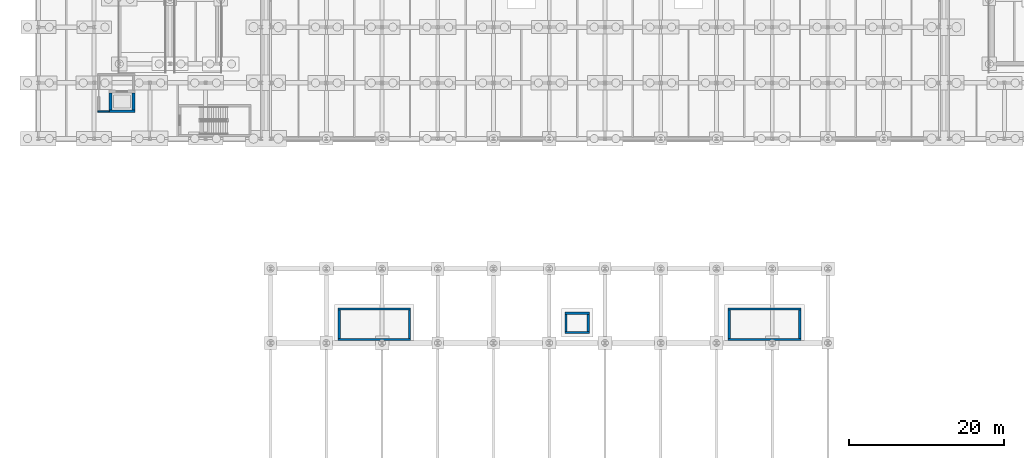
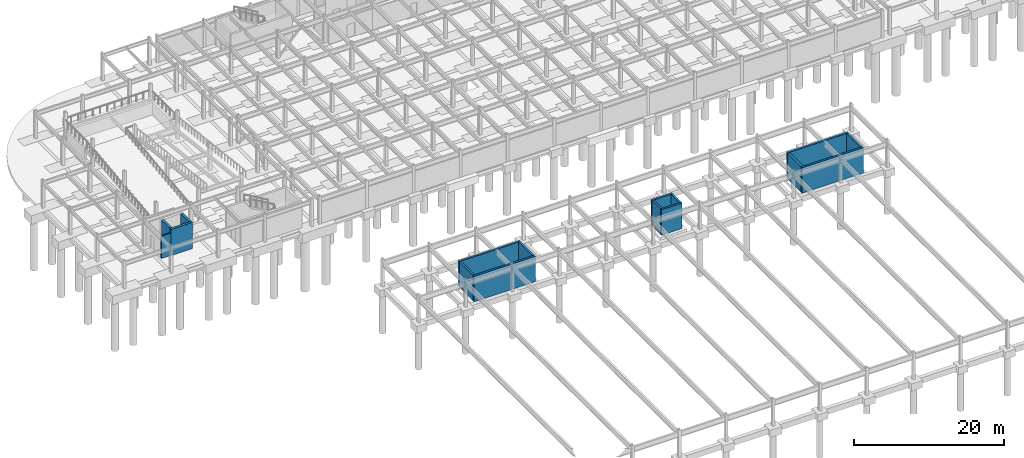
# One storey, part 42 of 54: 16 walls.
"""IFC4 building model written with IfcOpenShell, lengths in metres."""

from ifc_helpers import new_model, si_unit, direction, frame, frame_2d, origin, place, context, subcontext, project, spatial, rectangle, extrude, material, layer, layer_set, type_object, element, save


model = new_model("IFC4")

# Units and contexts
model_context = context("Model", 3, precision=1e-05, world=origin(), true_north=direction((0.0, 1.0)))
body_context = subcontext(model_context, "Body", "Model", "MODEL_VIEW")
ifc_project = project(units=[si_unit("LENGTHUNIT", "METRE"), si_unit("AREAUNIT", "SQUARE_METRE"), si_unit("VOLUMEUNIT", "CUBIC_METRE"), si_unit("PLANEANGLEUNIT", "RADIAN"), si_unit("MASSUNIT", "GRAM", prefix="KILO")], contexts=[model_context])

# Site, building, storey
site_placement = place(None, origin())
site = spatial("IfcSite", under=ifc_project, at=site_placement, CompositionType="ELEMENT")
building_placement = place(site_placement, origin())
building = spatial("IfcBuilding", under=site, at=building_placement, Name="Vaelcorin Mobility Hub", CompositionType="ELEMENT")
storey_placement = place(building_placement, frame((0.0, 0.0, -4.5)))
storey = spatial("IfcBuildingStorey", under=building, at=storey_placement, Name="B1", CompositionType="ELEMENT", Elevation=-4.5)

# Walls
ifc_material_1 = material(Name="Reinforced concrete f'c 45 MPa", Category="concrete")
ifc_layer_1 = layer(ifc_material_1, 0.300048828125)
ifc_layer_set_1 = layer_set([ifc_layer_1], Name="Reinforced concrete f'c 45 MPa")
wall_type_1 = type_object("IfcWallType", Name="WL-CORE-300", PredefinedType="SOLIDWALL", material=ifc_layer_set_1)
for number, where, z_axis, x_axis, name in (
    (1, (54.10009765625, 50.85009765625, 0.0), (0.0, 0.0, 1.0), (-1.0, 0.0, 0.0), "ST7 Core Foundation Stem Wall B1 South"),
    (2, (44.699951171875, 54.7900390625, 0.0), (0.0, 0.0, 1.0), (1.0, 0.0, 0.0), "ST7 Core Foundation Stem Wall B1 North"),
):
    element("IfcWall", number, at=place(storey_placement, frame(where, z_axis=z_axis, x_axis=x_axis)), inside=storey, type_object=wall_type_1, Name=name, PredefinedType="SOLIDWALL", context=body_context, shape_type="SweptSolid", body=[
        extrude(rectangle(XDim=9.400146484375, YDim=0.300048828125, at=frame_2d((4.7001953125, 0.0))), origin(), (0.0, 0.0, 1.0), 4.14990234375),
    ])
for number, where, z_axis, x_axis, name in (
    (3, (44.85009765625, 51.0, 0.0), (0.0, 0.0, 1.0), (0.0, 1.0, 0.0), "ST7 Core Foundation Stem Wall B1 West"),
    (4, (53.949951171875, 54.639892578125, 0.0), (0.0, 0.0, 1.0), (0.0, -1.0, 0.0), "ST7 Core Foundation Stem Wall B1 East"),
):
    element("IfcWall", number, at=place(storey_placement, frame(where, z_axis=z_axis, x_axis=x_axis)), inside=storey, type_object=wall_type_1, Name=name, PredefinedType="SOLIDWALL", context=body_context, shape_type="SweptSolid", body=[
        extrude(rectangle(XDim=3.639892578125, YDim=0.300048828125, at=frame_2d((1.81982421875, 0.0))), origin(), (0.0, 0.0, 1.0), 4.14990234375),
    ])
for number, where, z_axis, x_axis, name in (
    (5, (104.5, 50.85009765625, 0.0), (0.0, 0.0, 1.0), (-1.0, 0.0, 0.0), "ST8 Core Foundation Stem Wall B1 South"),
    (6, (95.10009765625, 54.7900390625, 0.0), (0.0, 0.0, 1.0), (1.0, 0.0, 0.0), "ST8 Core Foundation Stem Wall B1 North"),
):
    element("IfcWall", number, at=place(storey_placement, frame(where, z_axis=z_axis, x_axis=x_axis)), inside=storey, type_object=wall_type_1, Name=name, PredefinedType="SOLIDWALL", context=body_context, shape_type="SweptSolid", body=[
        extrude(rectangle(XDim=9.39990234375, YDim=0.300048828125, at=frame_2d((4.699951171875, 0.0))), origin(), (0.0, 0.0, 1.0), 4.14990234375),
    ])
for number, where, z_axis, x_axis, name in (
    (7, (95.25, 51.0, 0.0), (0.0, 0.0, 1.0), (0.0, 1.0, 0.0), "ST8 Core Foundation Stem Wall B1 West"),
    (8, (104.35009765625, 54.639892578125, 0.0), (0.0, 0.0, 1.0), (0.0, -1.0, 0.0), "ST8 Core Foundation Stem Wall B1 East"),
):
    element("IfcWall", number, at=place(storey_placement, frame(where, z_axis=z_axis, x_axis=x_axis)), inside=storey, type_object=wall_type_1, Name=name, PredefinedType="SOLIDWALL", context=body_context, shape_type="SweptSolid", body=[
        extrude(rectangle(XDim=3.639892578125, YDim=0.300048828125, at=frame_2d((1.81982421875, 0.0))), origin(), (0.0, 0.0, 1.0), 4.14990234375),
    ])
ifc_material_2 = material(Name="Reinforced acoustic concrete masonry C30/37", Category="masonry")
ifc_layer_2 = layer(ifc_material_2, 0.205078125)
ifc_layer_set_2 = layer_set([ifc_layer_2], Name="Reinforced acoustic concrete masonry C30/37")
wall_type_2 = type_object("IfcWallType", Name="WL-PART-205", PredefinedType="PARTITIONING", material=ifc_layer_set_2)
wall_1_placement = place(storey_placement, frame((15.14794921875, 80.324951171875, 0.0), z_axis=(0.0, 0.0, 1.0), x_axis=(-1.0, 0.0, 0.0)))
element("IfcWall", 9, at=wall_1_placement, inside=storey, type_object=wall_type_2, Name="West Drum Lift Lobby B1 Return Wall South", PredefinedType="PARTITIONING", context=body_context, shape_type="SweptSolid", body=[
    extrude(rectangle(XDim=1.449951171875, YDim=0.205078125, at=frame_2d((0.72509765625, 0.0))), origin(), (0.0, 0.0, 1.0), 3.617919921875),
])
ifc_layer_3 = layer(ifc_material_1, 0.2900390625)
ifc_layer_set_3 = layer_set([ifc_layer_3], Name="Reinforced concrete f'c 45 MPa")
wall_type_3 = type_object("IfcWallType", Name="WL-SHEAR-290", PredefinedType="SHEAR", material=ifc_layer_set_3)
for number, where, z_axis, x_axis, name in (
    (10, (77.18994140625, 51.7548828125, 0.0), (0.0, 0.0, 1.0), (-1.0, 0.0, 0.0), "LF3 Lift Pit Stem Wall B1 South"),
    (11, (74.010009765625, 54.2451171875, 0.0), (0.0, 0.0, 1.0), (1.0, 0.0, 0.0), "LF3 Lift Pit Stem Wall B1 North"),
):
    element("IfcWall", number, at=place(storey_placement, frame(where, z_axis=z_axis, x_axis=x_axis)), inside=storey, type_object=wall_type_3, Name=name, PredefinedType="SHEAR", context=body_context, shape_type="SweptSolid", body=[
        extrude(rectangle(XDim=3.179931640625, YDim=0.2900390625, at=frame_2d((1.58984375, 0.0))), origin(), (0.0, 0.0, 1.0), 4.14990234375),
    ])
for number, where, z_axis, x_axis, name in (
    (12, (74.155029296875, 51.89990234375, 0.0), (0.0, 0.0, 1.0), (0.0, 1.0, 0.0), "LF3 Lift Pit Stem Wall B1 West"),
    (13, (77.044921875, 54.10009765625, 0.0), (0.0, 0.0, 1.0), (0.0, -1.0, 0.0), "LF3 Lift Pit Stem Wall B1 East"),
):
    element("IfcWall", number, at=place(storey_placement, frame(where, z_axis=z_axis, x_axis=x_axis)), inside=storey, type_object=wall_type_3, Name=name, PredefinedType="SHEAR", context=body_context, shape_type="SweptSolid", body=[
        extrude(rectangle(XDim=2.2001953125, YDim=0.2900390625, at=frame_2d((1.10009765625, 0.0))), origin(), (0.0, 0.0, 1.0), 4.14990234375),
    ])
ifc_layer_4 = layer(ifc_material_1, 0.35009765625)
ifc_layer_set_4 = layer_set([ifc_layer_4], Name="Reinforced concrete f'c 45 MPa")
wall_type_4 = type_object("IfcWallType", Name="WL-SHEAR-350", PredefinedType="SHEAR", material=ifc_layer_set_4)
wall_2_placement = place(storey_placement, frame((18.449951171875, 80.324951171875, 0.0), z_axis=(0.0, 0.0, 1.0), x_axis=(-1.0, 0.0, 0.0)))
element("IfcWall", 14, at=wall_2_placement, inside=storey, type_object=wall_type_4, Name="LF4 Lift Shaft Shear Wall B1 South", PredefinedType="SHEAR", context=body_context, shape_type="SweptSolid", body=[
    extrude(rectangle(XDim=3.300048828125, YDim=0.35009765625, at=frame_2d((1.64990234375, 0.0))), origin(), (0.0, 0.0, 1.0), 4.25),
])
for number, where, z_axis, x_axis, name in (
    (15, (15.324951171875, 80.5, 0.0), (0.0, 0.0, 1.0), (0.0, 1.0, 0.0), "LF4 Lift Shaft Shear Wall B1 West"),
    (16, (18.27490234375, 82.699951171875, 0.0), (0.0, 0.0, 1.0), (0.0, -1.0, 0.0), "LF4 Lift Shaft Shear Wall B1 East"),
):
    element("IfcWall", number, at=place(storey_placement, frame(where, z_axis=z_axis, x_axis=x_axis)), inside=storey, type_object=wall_type_4, Name=name, PredefinedType="SHEAR", context=body_context, shape_type="SweptSolid", body=[
        extrude(rectangle(XDim=2.199951171875, YDim=0.35009765625, at=frame_2d((1.10009765625, 0.0))), origin(), (0.0, 0.0, 1.0), 4.25),
    ])

save(model, "model.ifc")
